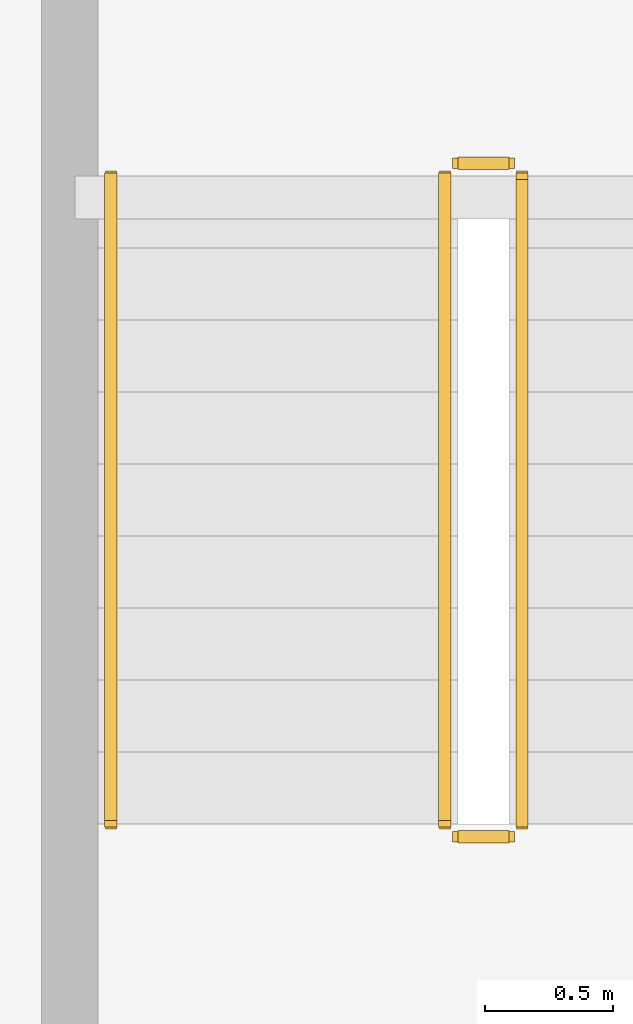
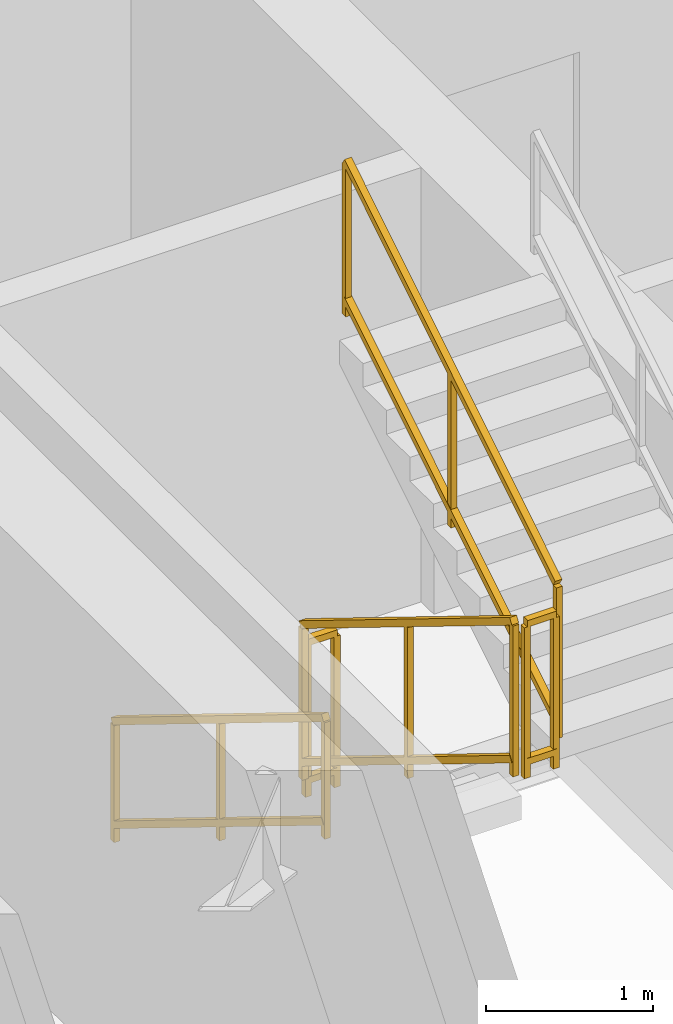
# One storey, part 28 of 30: 5 railings.
"""IFC4 building model written with IfcOpenShell, lengths in metres."""

from ifc_helpers import new_model, si_unit, direction, frame, origin, origin_2d, place, context, subcontext, project, spatial, rectangle, extrude, material, type_object, element, save


model = new_model("IFC4")

# Units and contexts
model_context = context("Model", 3, precision=1e-05, world=origin(), true_north=direction((0.0, 1.0)))
body_context = subcontext(model_context, "Body", "Model", "MODEL_VIEW")
ifc_project = project(units=[si_unit("LENGTHUNIT", "METRE"), si_unit("AREAUNIT", "SQUARE_METRE"), si_unit("VOLUMEUNIT", "CUBIC_METRE"), si_unit("PLANEANGLEUNIT", "RADIAN"), si_unit("MASSUNIT", "GRAM", prefix="KILO")], contexts=[model_context])

# Site, building, storey
site_placement = place(None, origin())
site = spatial("IfcSite", under=ifc_project, at=site_placement, CompositionType="ELEMENT")
building_placement = place(site_placement, origin())
building = spatial("IfcBuilding", under=site, at=building_placement, Name="Qarnah Convention Tower", CompositionType="ELEMENT")
storey_placement = place(building_placement, frame((0.0, 0.0, 90.14990234375)))
storey = spatial("IfcBuildingStorey", under=building, at=storey_placement, Name="L23", CompositionType="ELEMENT", Elevation=90.14990234375)

# Railings
ifc_material = material(Name="Structural steel S355JR", Category="steel")
railing_type_1 = type_object("IfcRailingType", Name="RL-STAIR-GUARD-1150", PredefinedType="GUARDRAIL", material=ifc_material)
railing_1_placement = place(storey_placement, frame((28.89990234375, 25.300048828125, 0.172607421875)))
element("IfcRailing", 1, at=railing_1_placement, inside=storey, type_object=railing_type_1, Name="L23 ST-1 stair guard 1", PredefinedType="GUARDRAIL", context=body_context, shape_type="SweptSolid", body=[
    extrude(rectangle(XDim=0.048095703125, YDim=0.048095703125, at=origin_2d()), frame((0.0, 0.0, 1.1259765625), z_axis=(0.0, -0.851400495292, 0.524516154772), x_axis=(1.0, 0.0, 0.0)), (0.0, 0.0, 1.0), 2.9599609375),
    extrude(rectangle(XDim=0.048095703125, YDim=0.048095703125, at=origin_2d()), frame((0.0, 0.0, 0.1201171875), z_axis=(0.0, -0.851400495292, 0.524516154772), x_axis=(1.0, 0.0, 0.0)), (0.0, 0.0, 1.0), 2.9599609375),
    extrude(rectangle(XDim=0.0419921875, YDim=0.0419921875, at=origin_2d()), origin(), (0.0, 0.0, 1.0), 1.101806640625),
    extrude(rectangle(XDim=0.0419921875, YDim=0.0419921875, at=origin_2d()), frame((0.0, -1.260009765625, 0.7763671875)), (0.0, 0.0, 1.0), 1.101806640625),
    extrude(rectangle(XDim=0.0419921875, YDim=0.0419921875, at=origin_2d()), frame((0.0, -2.52001953125, 1.552490234375)), (0.0, 0.0, 1.0), 1.101806640625),
])
railing_2_placement = place(storey_placement, frame((28.949951171875, 22.72998046875, 1.72509765625)))
element("IfcRailing", 2, at=railing_2_placement, inside=storey, type_object=railing_type_1, Name="L23 ST-1 stair guard 2", PredefinedType="GUARDRAIL", context=body_context, shape_type="SweptSolid", body=[
    extrude(rectangle(XDim=0.048095703125, YDim=0.048095703125, at=origin_2d()), frame((0.0, 0.0, 1.1259765625), z_axis=(1.0, 0.0, 0.0), x_axis=(0.0, 1.0, 0.0)), (0.0, 0.0, 1.0), 0.199951171875),
    extrude(rectangle(XDim=0.048095703125, YDim=0.048095703125, at=origin_2d()), frame((0.0, 0.0, 0.1201171875), z_axis=(1.0, 0.0, 0.0), x_axis=(0.0, 1.0, 0.0)), (0.0, 0.0, 1.0), 0.199951171875),
    extrude(rectangle(XDim=0.0419921875, YDim=0.0419921875, at=origin_2d()), origin(), (0.0, 0.0, 1.0), 1.101806640625),
    extrude(rectangle(XDim=0.0419921875, YDim=0.0419921875, at=origin_2d()), frame((0.199951171875, 0.0, 0.0)), (0.0, 0.0, 1.0), 1.101806640625),
])
railing_3_placement = place(storey_placement, frame((29.199951171875, 22.780029296875, 1.897705078125)))
element("IfcRailing", 3, at=railing_3_placement, inside=storey, type_object=railing_type_1, Name="L23 ST-1 stair guard 3", PredefinedType="GUARDRAIL", context=body_context, shape_type="SweptSolid", body=[
    extrude(rectangle(XDim=0.048095703125, YDim=0.048095703125, at=origin_2d()), frame((0.0, 0.0, 1.1259765625), z_axis=(0.0, 0.851400495292, 0.524516154772), x_axis=(-1.0, 0.0, 0.0)), (0.0, 0.0, 1.0), 2.9599609375),
    extrude(rectangle(XDim=0.048095703125, YDim=0.048095703125, at=origin_2d()), frame((0.0, 0.0, 0.1201171875), z_axis=(0.0, 0.851400495292, 0.524516154772), x_axis=(-1.0, 0.0, 0.0)), (0.0, 0.0, 1.0), 2.9599609375),
    extrude(rectangle(XDim=0.0419921875, YDim=0.0419921875, at=origin_2d()), origin(), (0.0, 0.0, 1.0), 1.101806640625),
    extrude(rectangle(XDim=0.0419921875, YDim=0.0419921875, at=origin_2d()), frame((0.0, 1.260009765625, 0.7763671875)), (0.0, 0.0, 1.0), 1.101806640625),
    extrude(rectangle(XDim=0.0419921875, YDim=0.0419921875, at=origin_2d()), frame((0.0, 2.52001953125, 1.552490234375)), (0.0, 0.0, 1.0), 1.101806640625),
])
railing_4_placement = place(storey_placement, frame((28.949951171875, 25.35009765625, 0.0)))
element("IfcRailing", 4, at=railing_4_placement, inside=storey, type_object=railing_type_1, Name="L23 ST-1 stair guard 4", PredefinedType="GUARDRAIL", context=body_context, shape_type="SweptSolid", body=[
    extrude(rectangle(XDim=0.048095703125, YDim=0.048095703125, at=origin_2d()), frame((0.0, 0.0, 1.1259765625), z_axis=(1.0, 0.0, 0.0), x_axis=(0.0, 1.0, 0.0)), (0.0, 0.0, 1.0), 0.199951171875),
    extrude(rectangle(XDim=0.048095703125, YDim=0.048095703125, at=origin_2d()), frame((0.0, 0.0, 0.1201171875), z_axis=(1.0, 0.0, 0.0), x_axis=(0.0, 1.0, 0.0)), (0.0, 0.0, 1.0), 0.199951171875),
    extrude(rectangle(XDim=0.0419921875, YDim=0.0419921875, at=origin_2d()), origin(), (0.0, 0.0, 1.0), 1.101806640625),
    extrude(rectangle(XDim=0.0419921875, YDim=0.0419921875, at=origin_2d()), frame((0.199951171875, 0.0, 0.0)), (0.0, 0.0, 1.0), 1.101806640625),
])
railing_type_2 = type_object("IfcRailingType", Name="RL-STAIR-HAND-900", PredefinedType="HANDRAIL", material=ifc_material)
railing_5_placement = place(storey_placement, frame((27.60009765625, 25.300048828125, 0.172607421875)))
element("IfcRailing", 5, at=railing_5_placement, inside=storey, type_object=railing_type_2, Name="L23 ST-1 stair handrail 1", PredefinedType="HANDRAIL", context=body_context, shape_type="SweptSolid", body=[
    extrude(rectangle(XDim=0.048095703125, YDim=0.048095703125, at=origin_2d()), frame((0.0, 0.0, 0.8759765625), z_axis=(0.0, -0.851400495292, 0.524516154772), x_axis=(1.0, 0.0, 0.0)), (0.0, 0.0, 1.0), 2.9599609375),
    extrude(rectangle(XDim=0.048095703125, YDim=0.048095703125, at=origin_2d()), frame((0.0, 0.0, 0.1201171875), z_axis=(0.0, -0.851400495292, 0.524516154772), x_axis=(1.0, 0.0, 0.0)), (0.0, 0.0, 1.0), 2.9599609375),
    extrude(rectangle(XDim=0.0419921875, YDim=0.0419921875, at=origin_2d()), origin(), (0.0, 0.0, 1.0), 0.851806640625),
    extrude(rectangle(XDim=0.0419921875, YDim=0.0419921875, at=origin_2d()), frame((0.0, -1.260009765625, 0.7763671875)), (0.0, 0.0, 1.0), 0.851806640625),
    extrude(rectangle(XDim=0.0419921875, YDim=0.0419921875, at=origin_2d()), frame((0.0, -2.52001953125, 1.552490234375)), (0.0, 0.0, 1.0), 0.851806640625),
])

save(model, "model.ifc")
